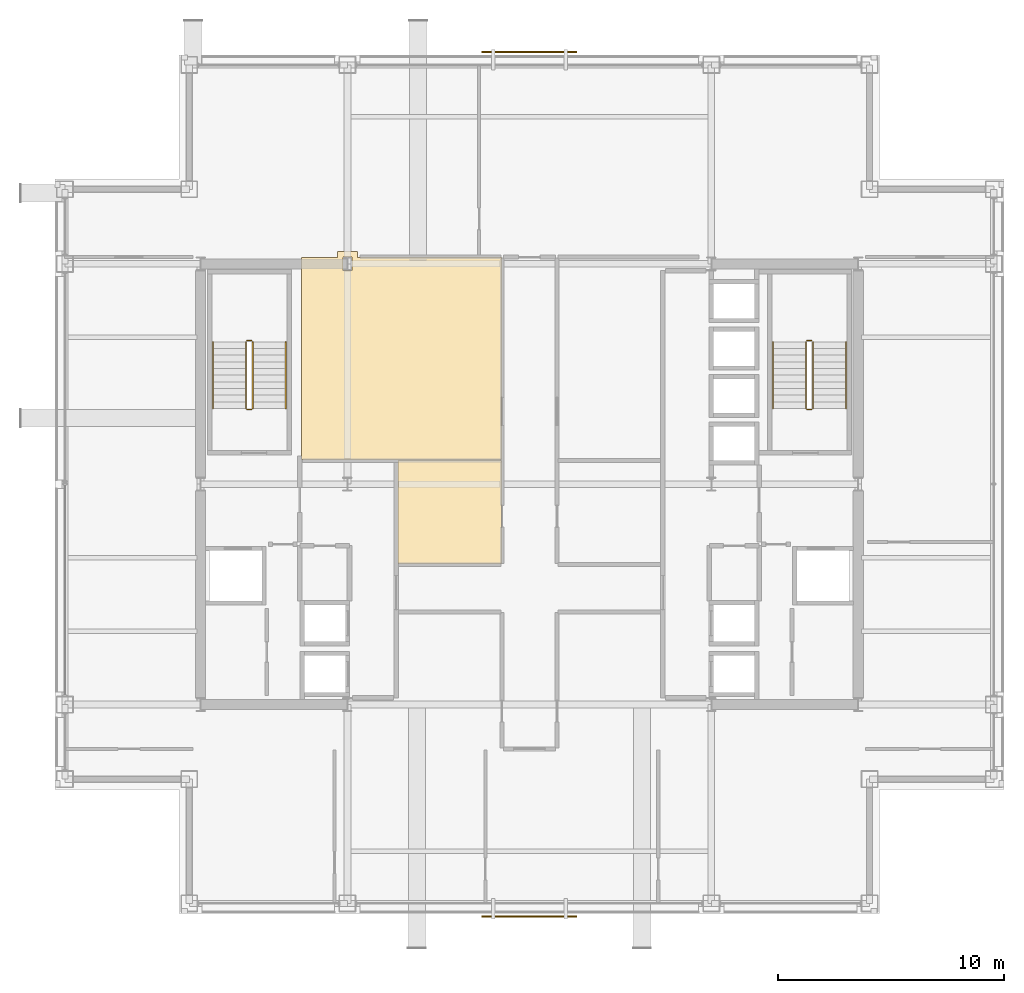
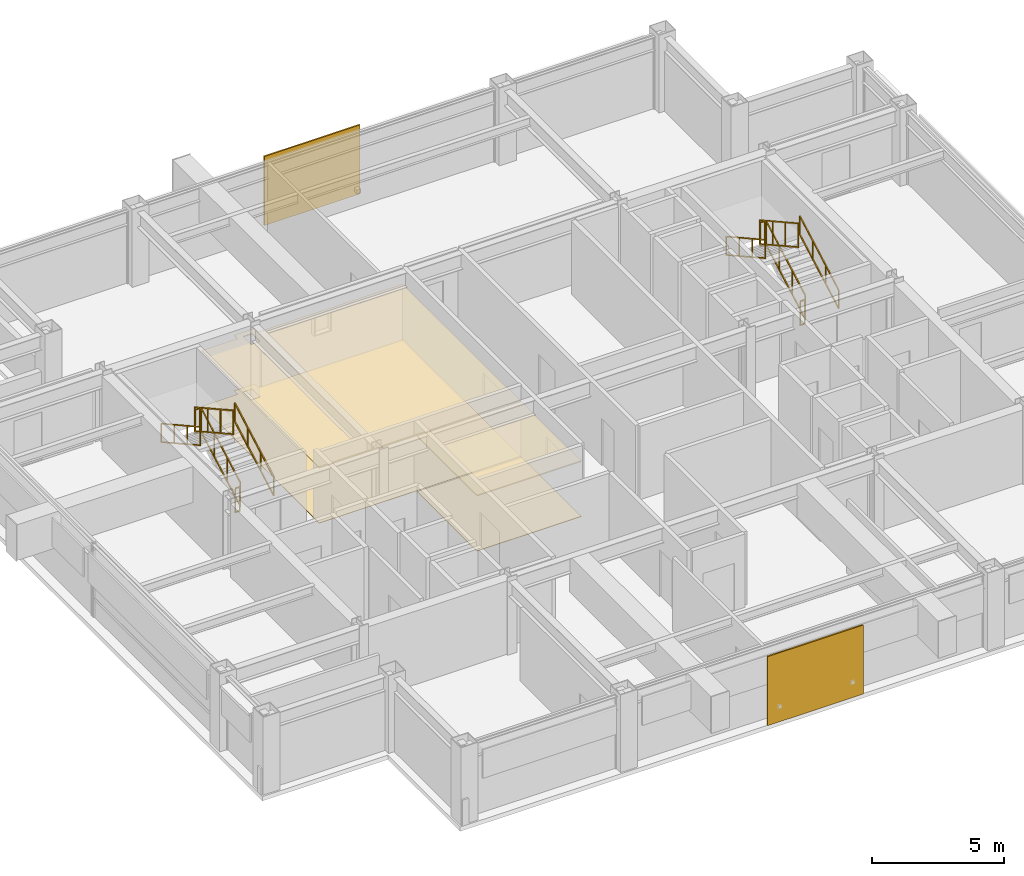
# One storey, part 28 of 28: 12 railings, 4 coverings, 2 shading devices.
"""IFC4 building model written with IfcOpenShell, lengths in metres."""

import ifcopenshell
import ifcopenshell.guid

model = None  # the IFC model being written
_history = None  # IfcOwnerHistory: only IFC2X3 demands one
_inside = {}  # id of a spatial element -> (the spatial element, [elements in it])
_under = {}  # id of a project, library or spatial element -> (it, [spatial elements below it])
_declared = {}  # id of a project -> (the project, [libraries it declares])
_typed = {}  # id of a type object -> (the type object, [elements of that type])
_made_of = {}  # id of a material, layer set ... -> (it, [elements and type objects made of it])


def new_model(schema):
    """Start an empty IFC model of exactly this schema.

    Asked for "IFC4X3", IfcOpenShell would pick the latest addendum, in which some entities
    have other attributes; the version numbers below select the first issue.
    IFC2X3 requires an IfcOwnerHistory on every rooted entity: one is made here for all.
    """
    global model, _history
    if schema == "IFC4X3":
        model = ifcopenshell.file(schema_version=(4, 3, 0, 0))
    else:
        model = ifcopenshell.file(schema=schema)
    _inside.clear()
    _under.clear()
    _declared.clear()
    _typed.clear()
    _made_of.clear()
    _history = None
    if model.schema == "IFC2X3":
        org = make("IfcOrganization", Name="unknown")
        user = make(
            "IfcPersonAndOrganization",
            ThePerson=make("IfcPerson", FamilyName="unknown"),
            TheOrganization=org,
        )
        app = make(
            "IfcApplication",
            ApplicationDeveloper=org,
            Version="unknown",
            ApplicationFullName="unknown",
            ApplicationIdentifier="unknown",
        )
        _history = make(
            "IfcOwnerHistory",
            OwningUser=user,
            OwningApplication=app,
            ChangeAction="ADDED",
            CreationDate=0,
        )
    return model


def make(cls, **values):
    """One entity of the class cls with the attributes given. An attribute that is None is left unset."""
    return model.create_entity(
        cls, **{name: value for name, value in values.items() if value is not None}
    )


def rooted(cls, **values):
    """An entity with a GlobalId (a new one), such as an element, a storey or a relation."""
    return make(cls, GlobalId=ifcopenshell.guid.new(), OwnerHistory=_history, **values)


def si_unit(unit_type, name, prefix=None):
    """IfcSIUnit, for example si_unit("LENGTHUNIT", "METRE", prefix="MILLI")."""
    return make("IfcSIUnit", UnitType=unit_type, Prefix=prefix, Name=name)


def assignment(units):
    """IfcUnitAssignment: the units of a project."""
    return None if units is None else make("IfcUnitAssignment", Units=units)


def point(xyz):
    """IfcCartesianPoint."""
    return None if xyz is None else make("IfcCartesianPoint", Coordinates=xyz)


def direction(xyz):
    """IfcDirection."""
    return None if xyz is None else make("IfcDirection", DirectionRatios=xyz)


def frame(location, z_axis=None, x_axis=None):
    """IfcAxis2Placement3D, a coordinate frame: its origin and axes. An axis left out is left unset."""
    return make(
        "IfcAxis2Placement3D",
        Location=point(location),
        Axis=direction(z_axis),
        RefDirection=direction(x_axis),
    )


def frame_2d(location, x_axis=None):
    """IfcAxis2Placement2D, a coordinate frame in the plane: its origin and x axis."""
    return make(
        "IfcAxis2Placement2D", Location=point(location), RefDirection=direction(x_axis)
    )


def origin():
    """The frame at (0, 0, 0) with its axes left unset."""
    return frame((0.0, 0.0, 0.0))


def origin_2d():
    """The frame at (0, 0) in the plane with its x axis left unset."""
    return frame_2d((0.0, 0.0))


def place(relative_to, where):
    """IfcLocalPlacement: puts the frame where relative to a parent placement (None: the world)."""
    return make(
        "IfcLocalPlacement", PlacementRelTo=relative_to, RelativePlacement=where
    )


def context(
    kind, dimensions, precision=None, world=None, true_north=None, identifier=None
):
    """IfcGeometricRepresentationContext, for example the 3D "Model" context."""
    return make(
        "IfcGeometricRepresentationContext",
        ContextIdentifier=identifier,
        ContextType=kind,
        CoordinateSpaceDimension=dimensions,
        Precision=precision,
        WorldCoordinateSystem=world,
        TrueNorth=true_north,
    )


def subcontext(parent, identifier, kind, view, scale=None):
    """IfcGeometricRepresentationSubContext, for example "Body" below "Model"."""
    return make(
        "IfcGeometricRepresentationSubContext",
        ContextIdentifier=identifier,
        ContextType=kind,
        ParentContext=parent,
        TargetScale=scale,
        TargetView=view,
    )


def project(units=None, contexts=None):
    """IfcProject with its units and contexts."""
    return rooted(
        "IfcProject",
        Name="project",
        RepresentationContexts=contexts,
        UnitsInContext=assignment(units),
    )


def spatial(cls, under=None, at=None, **own):
    """A site, building, storey or space (cls), placed at a placement, below another one or the project."""
    s = rooted(cls, ObjectPlacement=at, **own)
    if under is not None:
        _under.setdefault(under.id(), (under, []))[1].append(s)
    return s


def polyline(points):
    """IfcPolyline through the points."""
    return make("IfcPolyline", Points=[point(p) for p in points])


def profile(cls, at=None, kind="AREA", **sizes):
    """A parametric profile (cls). Its sizes go by their IFC names, for example OverallWidth=200.0."""
    return make(cls, ProfileType=kind, Position=at, **sizes)


def rectangle(**sizes):
    """IfcRectangleProfileDef."""
    return profile("IfcRectangleProfileDef", **sizes)


def outline(outer, holes=None, kind="AREA"):
    """IfcArbitraryClosedProfileDef: a profile drawn as a closed curve; with holes, ...WithVoids."""
    if holes is None:
        return make("IfcArbitraryClosedProfileDef", ProfileType=kind, OuterCurve=outer)
    return make(
        "IfcArbitraryProfileDefWithVoids",
        ProfileType=kind,
        OuterCurve=outer,
        InnerCurves=holes,
    )


def extrude(swept, where, along, depth):
    """IfcExtrudedAreaSolid: the profile swept, set in the frame where, extruded along a direction by depth."""
    return make(
        "IfcExtrudedAreaSolid",
        SweptArea=swept,
        Position=where,
        ExtrudedDirection=direction(along),
        Depth=depth,
    )


def shape(context_of_items, identifier, shape_type, items):
    """IfcShapeRepresentation: the items that make up one representation, for example the "Body"."""
    return make(
        "IfcShapeRepresentation",
        ContextOfItems=context_of_items,
        RepresentationIdentifier=identifier,
        RepresentationType=shape_type,
        Items=items,
    )


def material(Name=None, Category=None):
    """IfcMaterial."""
    return make("IfcMaterial", Name=Name, Category=Category)


def layer(
    of_material, thickness, ventilated=None, Name=None, Category=None, Priority=None
):
    """IfcMaterialLayer: one layer of a wall or slab, of a material (None: an air gap)."""
    return make(
        "IfcMaterialLayer",
        Material=of_material,
        LayerThickness=thickness,
        IsVentilated=ventilated,
        Name=Name,
        Category=Category,
        Priority=Priority,
    )


def layer_set(layers, Name=None):
    """IfcMaterialLayerSet."""
    return make("IfcMaterialLayerSet", MaterialLayers=layers, LayerSetName=Name)


def made_of(thing, what):
    """Note that an element or type object is made of a material, layer set ...; save() writes the relation."""
    if what is not None:
        _made_of.setdefault(what.id(), (what, []))[1].append(thing)
    return thing


def type_object(cls, material=None, **own):
    """A type object (cls), such as IfcWallType, which elements share."""
    return made_of(rooted(cls, **own), material)


def element(
    cls,
    number,
    at=None,
    inside=None,
    cuts=None,
    type_object=None,
    material=None,
    context=None,
    identifier="Body",
    shape_type=None,
    held_by="IfcProductDefinitionShape",
    body=None,
    shapes=None,
    **own,
):
    """One element of the class cls, such as IfcWall. Its Tag is "e" and its number.

    at: its placement. inside: the storey or other place that contains it. cuts: it is an
    opening in that element (IfcRelVoidsElement). A single representation is given by context,
    identifier, shape_type and body (its items); several are given by shapes. held_by: the class
    of the entity that holds the representations. save() writes the other relations.
    """
    e = rooted(cls, Tag="e%d" % number, ObjectPlacement=at, **own)
    if body is not None:
        shapes = [shape(context, identifier, shape_type, body)]
    if shapes is not None:
        e.Representation = make(held_by, Representations=shapes)
    if inside is not None:
        _inside.setdefault(inside.id(), (inside, []))[1].append(e)
    if cuts is not None:
        rooted(
            "IfcRelVoidsElement", RelatingBuildingElement=cuts, RelatedOpeningElement=e
        )
    if type_object is not None:
        _typed.setdefault(type_object.id(), (type_object, []))[1].append(e)
    return made_of(e, material)


def aggregate(whole, parts):
    """IfcRelAggregates: a whole, such as a stair, and the parts it consists of."""
    return rooted("IfcRelAggregates", RelatingObject=whole, RelatedObjects=parts)


def save(model, path):
    """Write the relations noted so far, then the file.

    IfcRelAggregates (storeys below a building ...), IfcRelContainedInSpatialStructure (elements
    in a storey), IfcRelDefinesByType, IfcRelAssociatesMaterial and IfcRelDeclares: one each for
    every whole, place, type object, material and project.
    """
    for whole, parts in _under.values():
        aggregate(whole, parts)
    for where, things in _inside.values():
        rooted(
            "IfcRelContainedInSpatialStructure",
            RelatedElements=things,
            RelatingStructure=where,
        )
    for kind, things in _typed.values():
        rooted("IfcRelDefinesByType", RelatedObjects=things, RelatingType=kind)
    for what, things in _made_of.values():
        rooted("IfcRelAssociatesMaterial", RelatedObjects=things, RelatingMaterial=what)
    for by, libraries in _declared.values():
        rooted("IfcRelDeclares", RelatingContext=by, RelatedDefinitions=libraries)
    model.write(path)


model = new_model("IFC4")

# Units and contexts
model_context = context("Model", 3, precision=1e-05, world=origin(), true_north=direction((0.0, 1.0)))
body_context = subcontext(model_context, "Body", "Model", "MODEL_VIEW")
ifc_project = project(units=[si_unit("LENGTHUNIT", "METRE"), si_unit("AREAUNIT", "SQUARE_METRE"), si_unit("VOLUMEUNIT", "CUBIC_METRE"), si_unit("PLANEANGLEUNIT", "RADIAN"), si_unit("MASSUNIT", "GRAM", prefix="KILO")], contexts=[model_context])

# Site, building, storey
site_placement = place(None, origin())
site = spatial("IfcSite", under=ifc_project, at=site_placement, CompositionType="ELEMENT")
building_placement = place(site_placement, origin())
building = spatial("IfcBuilding", under=site, at=building_placement, Name="Brelmoor Portico Tower", CompositionType="ELEMENT")
storey_placement = place(building_placement, frame((0.0, 0.0, 155.10009765625)))
storey = spatial("IfcBuildingStorey", under=building, at=storey_placement, Name="L40", CompositionType="ELEMENT", Elevation=155.10009765625)

# Coverings
ifc_material_1 = material(Name="Powder-Coated Aluminium Acoustic Baffle Ceiling", Category="aluminium")
ifc_layer_1 = layer(ifc_material_1, 0.044921875)
ifc_layer_set_1 = layer_set([ifc_layer_1], Name="Powder-Coated Aluminium Acoustic Baffle Ceiling")
covering_type_1 = type_object("IfcCoveringType", Name="CV-CEIL-BAFFLE-45", PredefinedType="CEILING", material=ifc_layer_set_1)
covering_1_placement = place(storey_placement, frame((0.0, 0.0, 2.5498046875)))
element("IfcCovering", 1, at=covering_1_placement, inside=storey, type_object=covering_type_1, Name="L40 Acoustic Suspended Ceiling 01", PredefinedType="CEILING", context=body_context, shape_type="SweptSolid", body=[
    extrude(outline(polyline([(-10.080078125, 10.030029296875), (-8.5, 10.030029296875), (-8.5, 10.300048828125), (-7.60009765625, 10.300048828125), (-7.60009765625, 10.030029296875), (-1.239990234375, 10.030029296875), (-1.239990234375, 1.090087890625), (-10.080078125, 1.090087890625), (-10.080078125, 10.030029296875)]), holes=[polyline([(-7.85009765625, 9.449951171875), (-7.85009765625, 10.050048828125), (-8.25, 10.050048828125), (-8.25, 9.449951171875), (-7.85009765625, 9.449951171875)])]), origin(), (0.0, 0.0, 1.0), 0.045166015625),
])
ifc_material_2 = material(Name="Slatted FSC Oak Acoustic Feature Ceiling", Category="timber")
ifc_layer_2 = layer(ifc_material_2, 0.052001953125)
ifc_layer_set_2 = layer_set([ifc_layer_2], Name="Slatted FSC Oak Acoustic Feature Ceiling")
covering_type_2 = type_object("IfcCoveringType", Name="CV-CEIL-TIMBER-52", PredefinedType="CEILING", material=ifc_layer_set_2)
covering_2_placement = place(storey_placement, frame((0.0, 0.0, 2.5498046875)))
element("IfcCovering", 2, at=covering_2_placement, inside=storey, type_object=covering_type_2, Name="L40 Acoustic Suspended Ceiling 02", PredefinedType="CEILING", context=body_context, shape_type="SweptSolid", body=[
    extrude(outline(polyline([(-5.820068359375, -3.510009765625), (-5.820068359375, 1.0400390625), (-1.239990234375, 1.0400390625), (-1.239990234375, -3.510009765625), (-5.820068359375, -3.510009765625)])), origin(), (0.0, 0.0, 1.0), 0.052001953125),
])
ifc_material_3 = material(Name="Rectified Vitrified Porcelain Floor Tile", Category="ceramic")
ifc_layer_3 = layer(ifc_material_3, 0.01806640625)
ifc_layer_set_3 = layer_set([ifc_layer_3], Name="Rectified Vitrified Porcelain Floor Tile")
covering_type_3 = type_object("IfcCoveringType", Name="CV-FLR-PORCELAIN-18", PredefinedType="FLOORING", material=ifc_layer_set_3)
covering_3_placement = place(storey_placement, origin())
element("IfcCovering", 3, at=covering_3_placement, inside=storey, type_object=covering_type_3, Name="L40 Architectural Floor Finish 01", PredefinedType="FLOORING", context=body_context, shape_type="SweptSolid", body=[
    extrude(outline(polyline([(-10.080078125, 10.030029296875), (-8.5, 10.030029296875), (-8.5, 10.300048828125), (-7.60009765625, 10.300048828125), (-7.60009765625, 10.030029296875), (-1.239990234375, 10.030029296875), (-1.239990234375, 1.090087890625), (-10.080078125, 1.090087890625), (-10.080078125, 10.030029296875)]), holes=[polyline([(-7.85009765625, 9.449951171875), (-7.85009765625, 10.050048828125), (-8.25, 10.050048828125), (-8.25, 9.449951171875), (-7.85009765625, 9.449951171875)])]), origin(), (0.0, 0.0, 1.0), 0.017822265625),
])
ifc_material_4 = material(Name="Engineered Quarter-Sawn Oak Parquet Flooring", Category="timber")
ifc_layer_4 = layer(ifc_material_4, 0.02197265625)
ifc_layer_set_4 = layer_set([ifc_layer_4], Name="Engineered Quarter-Sawn Oak Parquet Flooring")
covering_type_4 = type_object("IfcCoveringType", Name="CV-FLR-TIMBER-22", PredefinedType="FLOORING", material=ifc_layer_set_4)
covering_4_placement = place(storey_placement, origin())
element("IfcCovering", 4, at=covering_4_placement, inside=storey, type_object=covering_type_4, Name="L40 Architectural Floor Finish 02", PredefinedType="FLOORING", context=body_context, shape_type="SweptSolid", body=[
    extrude(outline(polyline([(-5.820068359375, -3.510009765625), (-5.820068359375, 1.0400390625), (-1.239990234375, 1.0400390625), (-1.239990234375, -3.510009765625), (-5.820068359375, -3.510009765625)])), origin(), (0.0, 0.0, 1.0), 0.02197265625),
])

# Railings
ifc_material_5 = material(Name="Painted Tubular Steel Q235B", Category="steel")
railing_type_1 = type_object("IfcRailingType", Name="RL-STAIR-GUARD", PredefinedType="GUARDRAIL", material=ifc_material_5)
railing_1_placement = place(storey_placement, frame((-12.239990234375, 3.35009765625, 0.16357421875)))
element("IfcRailing", 5, at=railing_1_placement, inside=storey, type_object=railing_type_1, Name="L40 ST-W stair guard 1", PredefinedType="GUARDRAIL", context=body_context, shape_type="SweptSolid", body=[
    extrude(rectangle(XDim=0.048095703125, YDim=0.048095703125, at=origin_2d()), frame((0.0, 0.0, 1.1259765625), z_axis=(0.0, 0.87448821551, 0.485046761595), x_axis=(-1.0, 0.0, 0.0)), (0.0, 0.0, 1.0), 3.373291015625),
    extrude(rectangle(XDim=0.048095703125, YDim=0.048095703125, at=origin_2d()), frame((0.0, 0.0, 0.02392578125), z_axis=(0.0, 0.87448821551, 0.485046761595), x_axis=(-1.0, 0.0, 0.0)), (0.0, 0.0, 1.0), 3.373291015625),
    extrude(rectangle(XDim=0.0419921875, YDim=0.0419921875, at=origin_2d()), origin(), (0.0, 0.0, 1.0), 1.101806640625),
    extrude(rectangle(XDim=0.0419921875, YDim=0.0419921875, at=origin_2d()), frame((0.0, 0.9833984375, 0.54541015625)), (0.0, 0.0, 1.0), 1.101806640625),
    extrude(rectangle(XDim=0.0419921875, YDim=0.0419921875, at=origin_2d()), frame((0.0, 1.966552734375, 1.0908203125)), (0.0, 0.0, 1.0), 1.101806640625),
    extrude(rectangle(XDim=0.0419921875, YDim=0.0419921875, at=origin_2d()), frame((0.0, 2.949951171875, 1.63623046875)), (0.0, 0.0, 1.0), 1.101806640625),
])
railing_2_placement = place(storey_placement, frame((-12.2900390625, 6.35009765625, 1.7998046875)))
element("IfcRailing", 6, at=railing_2_placement, inside=storey, type_object=railing_type_1, Name="L40 ST-W stair guard 2", PredefinedType="GUARDRAIL", context=body_context, shape_type="SweptSolid", body=[
    extrude(rectangle(XDim=0.048095703125, YDim=0.048095703125, at=origin_2d()), frame((0.0, 0.0, 1.1259765625), z_axis=(-1.0, 0.0, 0.0), x_axis=(0.0, -1.0, 0.0)), (0.0, 0.0, 1.0), 0.199951171875),
    extrude(rectangle(XDim=0.048095703125, YDim=0.048095703125, at=origin_2d()), frame((0.0, 0.0, 0.02392578125), z_axis=(-1.0, 0.0, 0.0), x_axis=(0.0, -1.0, 0.0)), (0.0, 0.0, 1.0), 0.199951171875),
    extrude(rectangle(XDim=0.0419921875, YDim=0.0419921875, at=origin_2d()), origin(), (0.0, 0.0, 1.0), 1.101806640625),
    extrude(rectangle(XDim=0.0419921875, YDim=0.0419921875, at=origin_2d()), frame((-0.199951171875, 0.0, 0.0)), (0.0, 0.0, 1.0), 1.101806640625),
])
railing_3_placement = place(storey_placement, frame((-12.5400390625, 6.300048828125, 1.963623046875)))
element("IfcRailing", 7, at=railing_3_placement, inside=storey, type_object=railing_type_1, Name="L40 ST-W stair guard 3", PredefinedType="GUARDRAIL", context=body_context, shape_type="SweptSolid", body=[
    extrude(rectangle(XDim=0.048095703125, YDim=0.048095703125, at=origin_2d()), frame((0.0, 0.0, 1.1259765625), z_axis=(0.0, -0.87448821551, 0.485046761595), x_axis=(1.0, 0.0, 0.0)), (0.0, 0.0, 1.0), 3.373291015625),
    extrude(rectangle(XDim=0.048095703125, YDim=0.048095703125, at=origin_2d()), frame((0.0, 0.0, 0.02392578125), z_axis=(0.0, -0.87448821551, 0.485046761595), x_axis=(1.0, 0.0, 0.0)), (0.0, 0.0, 1.0), 3.373291015625),
    extrude(rectangle(XDim=0.0419921875, YDim=0.0419921875, at=origin_2d()), origin(), (0.0, 0.0, 1.0), 1.101806640625),
    extrude(rectangle(XDim=0.0419921875, YDim=0.0419921875, at=origin_2d()), frame((0.0, -0.9833984375, 0.54541015625)), (0.0, 0.0, 1.0), 1.101806640625),
    extrude(rectangle(XDim=0.0419921875, YDim=0.0419921875, at=origin_2d()), frame((0.0, -1.966552734375, 1.0908203125)), (0.0, 0.0, 1.0), 1.101806640625),
    extrude(rectangle(XDim=0.0419921875, YDim=0.0419921875, at=origin_2d()), frame((0.0, -2.949951171875, 1.63623046875)), (0.0, 0.0, 1.0), 1.101806640625),
])
railing_4_placement = place(storey_placement, frame((-12.2900390625, 3.300048828125, 0.0)))
element("IfcRailing", 8, at=railing_4_placement, inside=storey, type_object=railing_type_1, Name="L40 ST-W stair guard 4", PredefinedType="GUARDRAIL", context=body_context, shape_type="SweptSolid", body=[
    extrude(rectangle(XDim=0.048095703125, YDim=0.048095703125, at=origin_2d()), frame((0.0, 0.0, 1.1259765625), z_axis=(-1.0, 0.0, 0.0), x_axis=(0.0, -1.0, 0.0)), (0.0, 0.0, 1.0), 0.199951171875),
    extrude(rectangle(XDim=0.048095703125, YDim=0.048095703125, at=origin_2d()), frame((0.0, 0.0, 0.02392578125), z_axis=(-1.0, 0.0, 0.0), x_axis=(0.0, -1.0, 0.0)), (0.0, 0.0, 1.0), 0.199951171875),
    extrude(rectangle(XDim=0.0419921875, YDim=0.0419921875, at=origin_2d()), origin(), (0.0, 0.0, 1.0), 1.101806640625),
    extrude(rectangle(XDim=0.0419921875, YDim=0.0419921875, at=origin_2d()), frame((-0.199951171875, 0.0, 0.0)), (0.0, 0.0, 1.0), 1.101806640625),
])
railing_5_placement = place(storey_placement, frame((12.5400390625, 3.35009765625, 0.16357421875)))
element("IfcRailing", 9, at=railing_5_placement, inside=storey, type_object=railing_type_1, Name="L40 ST-E stair guard 1", PredefinedType="GUARDRAIL", context=body_context, shape_type="SweptSolid", body=[
    extrude(rectangle(XDim=0.048095703125, YDim=0.048095703125, at=origin_2d()), frame((0.0, 0.0, 1.1259765625), z_axis=(0.0, 0.87448821551, 0.485046761595), x_axis=(-1.0, 0.0, 0.0)), (0.0, 0.0, 1.0), 3.373291015625),
    extrude(rectangle(XDim=0.048095703125, YDim=0.048095703125, at=origin_2d()), frame((0.0, 0.0, 0.02392578125), z_axis=(0.0, 0.87448821551, 0.485046761595), x_axis=(-1.0, 0.0, 0.0)), (0.0, 0.0, 1.0), 3.373291015625),
    extrude(rectangle(XDim=0.0419921875, YDim=0.0419921875, at=origin_2d()), origin(), (0.0, 0.0, 1.0), 1.101806640625),
    extrude(rectangle(XDim=0.0419921875, YDim=0.0419921875, at=origin_2d()), frame((0.0, 0.9833984375, 0.54541015625)), (0.0, 0.0, 1.0), 1.101806640625),
    extrude(rectangle(XDim=0.0419921875, YDim=0.0419921875, at=origin_2d()), frame((0.0, 1.966552734375, 1.0908203125)), (0.0, 0.0, 1.0), 1.101806640625),
    extrude(rectangle(XDim=0.0419921875, YDim=0.0419921875, at=origin_2d()), frame((0.0, 2.949951171875, 1.63623046875)), (0.0, 0.0, 1.0), 1.101806640625),
])
railing_6_placement = place(storey_placement, frame((12.489990234375, 6.35009765625, 1.7998046875)))
element("IfcRailing", 10, at=railing_6_placement, inside=storey, type_object=railing_type_1, Name="L40 ST-E stair guard 2", PredefinedType="GUARDRAIL", context=body_context, shape_type="SweptSolid", body=[
    extrude(rectangle(XDim=0.048095703125, YDim=0.048095703125, at=origin_2d()), frame((0.0, 0.0, 1.1259765625), z_axis=(-1.0, 0.0, 0.0), x_axis=(0.0, -1.0, 0.0)), (0.0, 0.0, 1.0), 0.199951171875),
    extrude(rectangle(XDim=0.048095703125, YDim=0.048095703125, at=origin_2d()), frame((0.0, 0.0, 0.02392578125), z_axis=(-1.0, 0.0, 0.0), x_axis=(0.0, -1.0, 0.0)), (0.0, 0.0, 1.0), 0.199951171875),
    extrude(rectangle(XDim=0.0419921875, YDim=0.0419921875, at=origin_2d()), origin(), (0.0, 0.0, 1.0), 1.101806640625),
    extrude(rectangle(XDim=0.0419921875, YDim=0.0419921875, at=origin_2d()), frame((-0.199951171875, 0.0, 0.0)), (0.0, 0.0, 1.0), 1.101806640625),
])
railing_7_placement = place(storey_placement, frame((12.239990234375, 6.300048828125, 1.963623046875)))
element("IfcRailing", 11, at=railing_7_placement, inside=storey, type_object=railing_type_1, Name="L40 ST-E stair guard 3", PredefinedType="GUARDRAIL", context=body_context, shape_type="SweptSolid", body=[
    extrude(rectangle(XDim=0.048095703125, YDim=0.048095703125, at=origin_2d()), frame((0.0, 0.0, 1.1259765625), z_axis=(0.0, -0.87448821551, 0.485046761595), x_axis=(1.0, 0.0, 0.0)), (0.0, 0.0, 1.0), 3.373291015625),
    extrude(rectangle(XDim=0.048095703125, YDim=0.048095703125, at=origin_2d()), frame((0.0, 0.0, 0.02392578125), z_axis=(0.0, -0.87448821551, 0.485046761595), x_axis=(1.0, 0.0, 0.0)), (0.0, 0.0, 1.0), 3.373291015625),
    extrude(rectangle(XDim=0.0419921875, YDim=0.0419921875, at=origin_2d()), origin(), (0.0, 0.0, 1.0), 1.101806640625),
    extrude(rectangle(XDim=0.0419921875, YDim=0.0419921875, at=origin_2d()), frame((0.0, -0.9833984375, 0.54541015625)), (0.0, 0.0, 1.0), 1.101806640625),
    extrude(rectangle(XDim=0.0419921875, YDim=0.0419921875, at=origin_2d()), frame((0.0, -1.966552734375, 1.0908203125)), (0.0, 0.0, 1.0), 1.101806640625),
    extrude(rectangle(XDim=0.0419921875, YDim=0.0419921875, at=origin_2d()), frame((0.0, -2.949951171875, 1.63623046875)), (0.0, 0.0, 1.0), 1.101806640625),
])
railing_8_placement = place(storey_placement, frame((12.489990234375, 3.300048828125, 0.0)))
element("IfcRailing", 12, at=railing_8_placement, inside=storey, type_object=railing_type_1, Name="L40 ST-E stair guard 4", PredefinedType="GUARDRAIL", context=body_context, shape_type="SweptSolid", body=[
    extrude(rectangle(XDim=0.048095703125, YDim=0.048095703125, at=origin_2d()), frame((0.0, 0.0, 1.1259765625), z_axis=(-1.0, 0.0, 0.0), x_axis=(0.0, -1.0, 0.0)), (0.0, 0.0, 1.0), 0.199951171875),
    extrude(rectangle(XDim=0.048095703125, YDim=0.048095703125, at=origin_2d()), frame((0.0, 0.0, 0.02392578125), z_axis=(-1.0, 0.0, 0.0), x_axis=(0.0, -1.0, 0.0)), (0.0, 0.0, 1.0), 0.199951171875),
    extrude(rectangle(XDim=0.0419921875, YDim=0.0419921875, at=origin_2d()), origin(), (0.0, 0.0, 1.0), 1.101806640625),
    extrude(rectangle(XDim=0.0419921875, YDim=0.0419921875, at=origin_2d()), frame((-0.199951171875, 0.0, 0.0)), (0.0, 0.0, 1.0), 1.101806640625),
])
ifc_material_6 = material(Name="Brushed Stainless Steel 304", Category="steel")
railing_type_2 = type_object("IfcRailingType", Name="RL-STAIR-HANDRAIL", PredefinedType="HANDRAIL", material=ifc_material_6)
railing_9_placement = place(storey_placement, frame((-10.780029296875, 3.35009765625, 0.16357421875)))
element("IfcRailing", 13, at=railing_9_placement, inside=storey, type_object=railing_type_2, Name="L40 ST-W stair handrail 1", PredefinedType="HANDRAIL", context=body_context, shape_type="SweptSolid", body=[
    extrude(rectangle(XDim=0.048095703125, YDim=0.048095703125, at=origin_2d()), frame((0.0, 0.0, 0.8759765625), z_axis=(0.0, 0.87448821551, 0.485046761595), x_axis=(-1.0, 0.0, 0.0)), (0.0, 0.0, 1.0), 3.373291015625),
    extrude(rectangle(XDim=0.048095703125, YDim=0.048095703125, at=origin_2d()), frame((0.0, 0.0, 0.02392578125), z_axis=(0.0, 0.87448821551, 0.485046761595), x_axis=(-1.0, 0.0, 0.0)), (0.0, 0.0, 1.0), 3.373291015625),
    extrude(rectangle(XDim=0.0419921875, YDim=0.0419921875, at=origin_2d()), origin(), (0.0, 0.0, 1.0), 0.851806640625),
    extrude(rectangle(XDim=0.0419921875, YDim=0.0419921875, at=origin_2d()), frame((0.0, 0.9833984375, 0.54541015625)), (0.0, 0.0, 1.0), 0.851806640625),
    extrude(rectangle(XDim=0.0419921875, YDim=0.0419921875, at=origin_2d()), frame((0.0, 1.966552734375, 1.0908203125)), (0.0, 0.0, 1.0), 0.851806640625),
    extrude(rectangle(XDim=0.0419921875, YDim=0.0419921875, at=origin_2d()), frame((0.0, 2.949951171875, 1.63623046875)), (0.0, 0.0, 1.0), 0.851806640625),
])
railing_10_placement = place(storey_placement, frame((-14.0, 6.300048828125, 1.963623046875)))
element("IfcRailing", 14, at=railing_10_placement, inside=storey, type_object=railing_type_2, Name="L40 ST-W stair handrail 2", PredefinedType="HANDRAIL", context=body_context, shape_type="SweptSolid", body=[
    extrude(rectangle(XDim=0.048095703125, YDim=0.048095703125, at=origin_2d()), frame((0.0, 0.0, 0.8759765625), z_axis=(0.0, -0.87448821551, 0.485046761595), x_axis=(1.0, 0.0, 0.0)), (0.0, 0.0, 1.0), 3.373291015625),
    extrude(rectangle(XDim=0.048095703125, YDim=0.048095703125, at=origin_2d()), frame((0.0, 0.0, 0.02392578125), z_axis=(0.0, -0.87448821551, 0.485046761595), x_axis=(1.0, 0.0, 0.0)), (0.0, 0.0, 1.0), 3.373291015625),
    extrude(rectangle(XDim=0.0419921875, YDim=0.0419921875, at=origin_2d()), origin(), (0.0, 0.0, 1.0), 0.851806640625),
    extrude(rectangle(XDim=0.0419921875, YDim=0.0419921875, at=origin_2d()), frame((0.0, -0.9833984375, 0.54541015625)), (0.0, 0.0, 1.0), 0.851806640625),
    extrude(rectangle(XDim=0.0419921875, YDim=0.0419921875, at=origin_2d()), frame((0.0, -1.966552734375, 1.0908203125)), (0.0, 0.0, 1.0), 0.851806640625),
    extrude(rectangle(XDim=0.0419921875, YDim=0.0419921875, at=origin_2d()), frame((0.0, -2.949951171875, 1.63623046875)), (0.0, 0.0, 1.0), 0.851806640625),
])
railing_11_placement = place(storey_placement, frame((14.0, 3.35009765625, 0.16357421875)))
element("IfcRailing", 15, at=railing_11_placement, inside=storey, type_object=railing_type_2, Name="L40 ST-E stair handrail 1", PredefinedType="HANDRAIL", context=body_context, shape_type="SweptSolid", body=[
    extrude(rectangle(XDim=0.048095703125, YDim=0.048095703125, at=origin_2d()), frame((0.0, 0.0, 0.8759765625), z_axis=(0.0, 0.87448821551, 0.485046761595), x_axis=(-1.0, 0.0, 0.0)), (0.0, 0.0, 1.0), 3.373291015625),
    extrude(rectangle(XDim=0.048095703125, YDim=0.048095703125, at=origin_2d()), frame((0.0, 0.0, 0.02392578125), z_axis=(0.0, 0.87448821551, 0.485046761595), x_axis=(-1.0, 0.0, 0.0)), (0.0, 0.0, 1.0), 3.373291015625),
    extrude(rectangle(XDim=0.0419921875, YDim=0.0419921875, at=origin_2d()), origin(), (0.0, 0.0, 1.0), 0.851806640625),
    extrude(rectangle(XDim=0.0419921875, YDim=0.0419921875, at=origin_2d()), frame((0.0, 0.9833984375, 0.54541015625)), (0.0, 0.0, 1.0), 0.851806640625),
    extrude(rectangle(XDim=0.0419921875, YDim=0.0419921875, at=origin_2d()), frame((0.0, 1.966552734375, 1.0908203125)), (0.0, 0.0, 1.0), 0.851806640625),
    extrude(rectangle(XDim=0.0419921875, YDim=0.0419921875, at=origin_2d()), frame((0.0, 2.949951171875, 1.63623046875)), (0.0, 0.0, 1.0), 0.851806640625),
])
railing_12_placement = place(storey_placement, frame((10.780029296875, 6.300048828125, 1.963623046875)))
element("IfcRailing", 16, at=railing_12_placement, inside=storey, type_object=railing_type_2, Name="L40 ST-E stair handrail 2", PredefinedType="HANDRAIL", context=body_context, shape_type="SweptSolid", body=[
    extrude(rectangle(XDim=0.048095703125, YDim=0.048095703125, at=origin_2d()), frame((0.0, 0.0, 0.8759765625), z_axis=(0.0, -0.87448821551, 0.485046761595), x_axis=(1.0, 0.0, 0.0)), (0.0, 0.0, 1.0), 3.373291015625),
    extrude(rectangle(XDim=0.048095703125, YDim=0.048095703125, at=origin_2d()), frame((0.0, 0.0, 0.02392578125), z_axis=(0.0, -0.87448821551, 0.485046761595), x_axis=(1.0, 0.0, 0.0)), (0.0, 0.0, 1.0), 3.373291015625),
    extrude(rectangle(XDim=0.0419921875, YDim=0.0419921875, at=origin_2d()), origin(), (0.0, 0.0, 1.0), 0.851806640625),
    extrude(rectangle(XDim=0.0419921875, YDim=0.0419921875, at=origin_2d()), frame((0.0, -0.9833984375, 0.54541015625)), (0.0, 0.0, 1.0), 0.851806640625),
    extrude(rectangle(XDim=0.0419921875, YDim=0.0419921875, at=origin_2d()), frame((0.0, -1.966552734375, 1.0908203125)), (0.0, 0.0, 1.0), 0.851806640625),
    extrude(rectangle(XDim=0.0419921875, YDim=0.0419921875, at=origin_2d()), frame((0.0, -2.949951171875, 1.63623046875)), (0.0, 0.0, 1.0), 0.851806640625),
])

# Shading devices
ifc_material_7 = material(Name="Perforated Pale Champagne Aluminium Solar Screen", Category="aluminium")
ifc_layer_5 = layer(ifc_material_7, 0.06494140625)
ifc_layer_set_5 = layer_set([ifc_layer_5], Name="Perforated Pale Champagne Aluminium Solar Screen")
shading_device_type = type_object("IfcShadingDeviceType", Name="SD-SOLAR-SCREEN", PredefinedType="USERDEFINED", material=ifc_layer_set_5)
for number, where, z_axis, x_axis, name in (
    (17, (0.0, -19.1201171875, 0.10009765625), (0.0, 0.0, 1.0), (1.0, 0.0, 0.0), "L40 Perforated Solar Screen S1"),
    (18, (0.0, 19.1201171875, 0.10009765625), (0.0, 0.0, 1.0), (1.0, 0.0, 0.0), "L40 Perforated Solar Screen N1"),
):
    element("IfcShadingDevice", number, at=place(storey_placement, frame(where, z_axis=z_axis, x_axis=x_axis)), inside=storey, type_object=shading_device_type, Name=name, ObjectType="SCREEN", PredefinedType="USERDEFINED", context=body_context, shape_type="SweptSolid", body=[
        extrude(rectangle(XDim=4.199951171875, YDim=0.06494140625, at=origin_2d()), origin(), (0.0, 0.0, 1.0), 3.199951171875),
    ])

save(model, "model.ifc")
